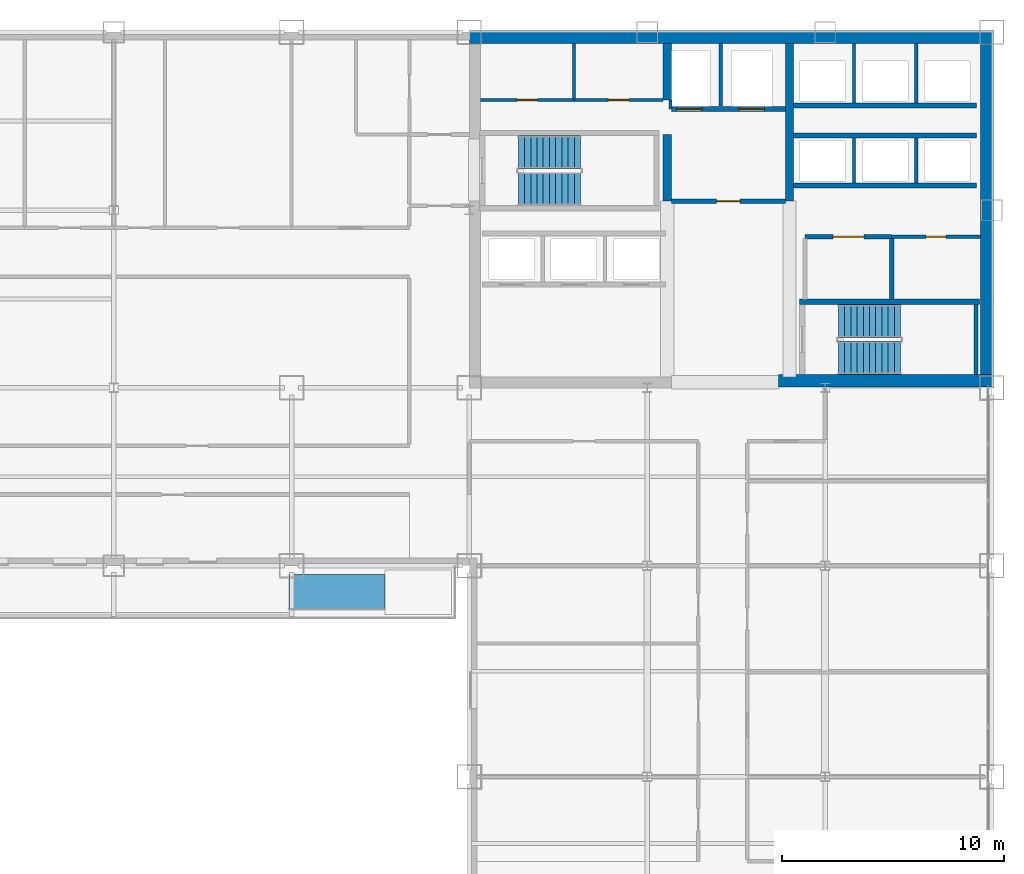
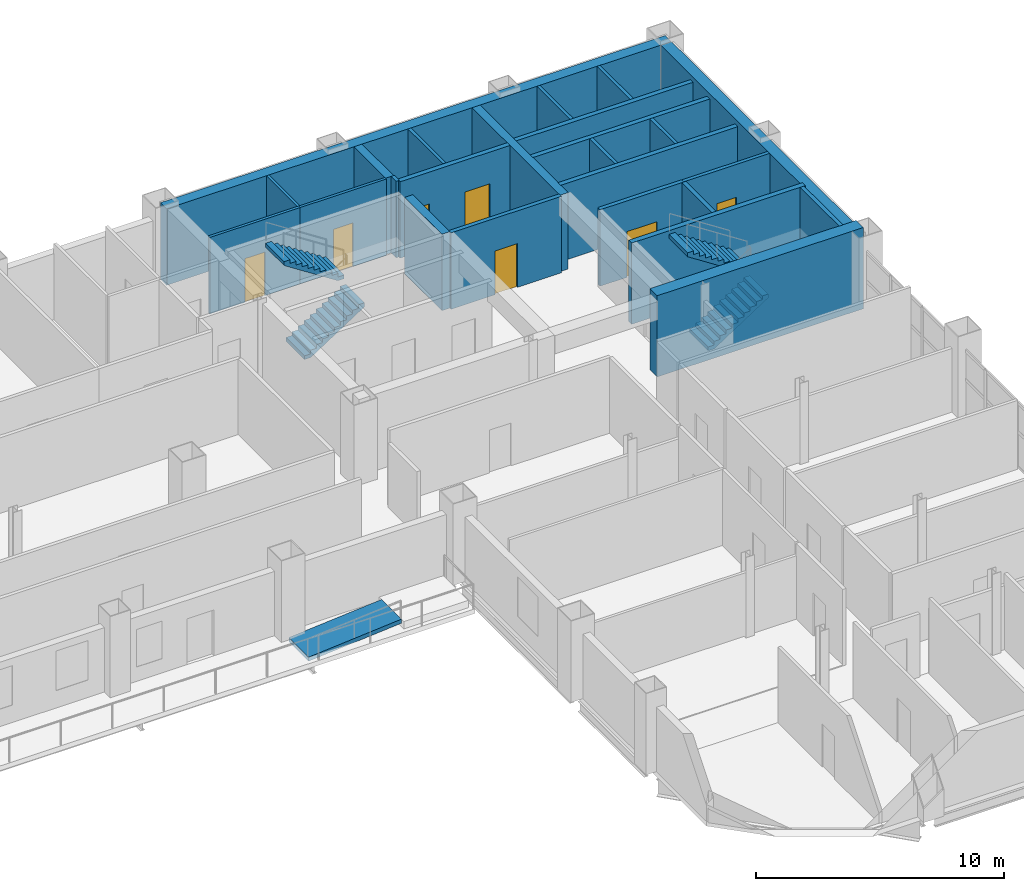
# One storey, part 14 of 16: 25 walls, 7 doors, 4 stair flights, 1 ramp flight, 7 openings, 3 elements without a shape of their own.
"""IFC4 building model written with IfcOpenShell, lengths in metres."""

from ifc_helpers import new_model, si_unit, direction, frame, frame_2d, origin, place, context, subcontext, project, spatial, polyline, rectangle, outline, extrude, material, layer, layer_set, type_object, element, fill, aggregate, save


model = new_model("IFC4")

# Units and contexts
model_context = context("Model", 3, precision=1e-05, world=origin(), true_north=direction((0.0, 1.0)))
body_context = subcontext(model_context, "Body", "Model", "MODEL_VIEW")
ifc_project = project(units=[si_unit("LENGTHUNIT", "METRE"), si_unit("AREAUNIT", "SQUARE_METRE"), si_unit("VOLUMEUNIT", "CUBIC_METRE"), si_unit("PLANEANGLEUNIT", "RADIAN"), si_unit("MASSUNIT", "GRAM", prefix="KILO")], contexts=[model_context])

# Site, building, storey
site_placement = place(None, origin())
site = spatial("IfcSite", under=ifc_project, at=site_placement, CompositionType="ELEMENT")
building_placement = place(site_placement, origin())
building = spatial("IfcBuilding", under=site, at=building_placement, Name="Qianrong Seaharbour Tower", CompositionType="ELEMENT")
storey_placement = place(building_placement, frame((0.0, 0.0, 119.0)))
storey = spatial("IfcBuildingStorey", under=building, at=storey_placement, Name="L28", CompositionType="ELEMENT", Elevation=119.0)

# Walls
ifc_material_1 = material(Name="Concrete C60/75", Category="concrete")
ifc_layer_1 = layer(ifc_material_1, 0.5)
ifc_layer_set_1 = layer_set([ifc_layer_1], Name="Concrete C60/75")
wall_type_1 = type_object("IfcWallType", Name="WALL-CORE-500", PredefinedType="SHEAR", material=ifc_layer_set_1)
wall_1_placement = place(storey_placement, frame((40.5, 51.75, 0.0), z_axis=(0.0, 0.0, 1.0), x_axis=(1.0, 0.0, 0.0)))
element("IfcWall", 1, at=wall_1_placement, inside=storey, type_object=wall_type_1, Name="L28 North Core Shear Wall", PredefinedType="SHEAR", context=body_context, shape_type="SweptSolid", body=[
    extrude(rectangle(XDim=23.5, YDim=0.5, at=frame_2d((11.75, 0.0))), origin(), (0.0, 0.0, 1.0), 3.764892578125),
])
wall_2_placement = place(storey_placement, frame((63.75, 36.320068359375, 0.0), z_axis=(0.0, 0.0, 1.0), x_axis=(0.0, 1.0, 0.0)))
element("IfcWall", 2, at=wall_2_placement, inside=storey, type_object=wall_type_1, Name="L28 East Core Shear Wall", PredefinedType="SHEAR", context=body_context, shape_type="SweptSolid", body=[
    extrude(rectangle(XDim=15.179931640625, YDim=0.5, at=frame_2d((7.58984375, 0.0))), origin(), (0.0, 0.0, 1.0), 3.764892578125),
])
ifc_material_2 = material(Name="Concrete C70/85", Category="concrete")
ifc_layer_2 = layer(ifc_material_2, 0.580078125)
ifc_layer_set_2 = layer_set([ifc_layer_2], Name="Concrete C70/85")
wall_type_2 = type_object("IfcWallType", Name="WALL-CORE-580", PredefinedType="SHEAR", material=ifc_layer_set_2)
wall_3_placement = place(storey_placement, frame((54.39990234375, 36.320068359375, 0.0), z_axis=(0.0, 0.0, 1.0), x_axis=(1.0, 0.0, 0.0)))
element("IfcWall", 3, at=wall_3_placement, inside=storey, type_object=wall_type_2, Name="L28 South Core Shear Wall S3", PredefinedType="SHEAR", context=body_context, shape_type="SweptSolid", body=[
    extrude(rectangle(XDim=9.60009765625, YDim=0.580078125, at=frame_2d((4.800048828125, 0.0))), origin(), (0.0, 0.0, 1.0), 4.0),
])
ifc_layer_3 = layer(ifc_material_1, 0.3798828125)
ifc_layer_set_3 = layer_set([ifc_layer_3], Name="Concrete C60/75")
wall_type_3 = type_object("IfcWallType", Name="WALL-CORE-INT-380", PredefinedType="SHEAR", material=ifc_layer_set_3)
wall_4_placement = place(storey_placement, frame((49.39990234375, 44.39990234375, 0.0), z_axis=(0.0, 0.0, 1.0), x_axis=(0.0, 1.0, 0.0)))
element("IfcWall", 4, at=wall_4_placement, inside=storey, type_object=wall_type_3, Name="L28 Internal Core Shear Wall IW1N1", PredefinedType="SHEAR", context=body_context, shape_type="SweptSolid", body=[
    extrude(rectangle(XDim=3.0, YDim=0.3798828125, at=frame_2d((1.5, 0.0))), origin(), (0.0, 0.0, 1.0), 3.764892578125),
])
wall_5_placement = place(storey_placement, frame((49.39990234375, 48.949951171875, 0.0), z_axis=(0.0, 0.0, 1.0), x_axis=(0.0, 1.0, 0.0)))
element("IfcWall", 5, at=wall_5_placement, inside=storey, type_object=wall_type_3, Name="L28 Internal Core Shear Wall IW1N2", PredefinedType="SHEAR", context=body_context, shape_type="SweptSolid", body=[
    extrude(rectangle(XDim=2.550048828125, YDim=0.3798828125, at=frame_2d((1.27490234375, 0.0))), origin(), (0.0, 0.0, 1.0), 3.764892578125),
])
wall_6_placement = place(storey_placement, frame((54.89990234375, 44.39990234375, 0.0), z_axis=(0.0, 0.0, 1.0), x_axis=(0.0, 1.0, 0.0)))
element("IfcWall", 6, at=wall_6_placement, inside=storey, type_object=wall_type_3, Name="L28 Internal Core Shear Wall IW2N", PredefinedType="SHEAR", context=body_context, shape_type="SweptSolid", body=[
    extrude(rectangle(XDim=7.10009765625, YDim=0.3798828125, at=frame_2d((3.550048828125, 0.0))), origin(), (0.0, 0.0, 1.0), 3.764892578125),
])

# Wall, opening, door
ifc_material_3 = material(Name="Fire-rated acoustic gypsum board partition")
ifc_layer_4 = layer(ifc_material_3, 0.1650390625)
ifc_layer_set_4 = layer_set([ifc_layer_4], Name="Fire-rated acoustic gypsum board partition")
wall_type_4 = type_object("IfcWallType", Name="WALL-CORR-PART-165", PredefinedType="PARTITIONING", material=ifc_layer_set_4)
wall_7_placement = place(storey_placement, frame((63.5, 42.800048828125, 0.0), z_axis=(0.0, 0.0, 1.0), x_axis=(-1.0, 0.0, 0.0)))
wall_7 = element("IfcWall", 7, at=wall_7_placement, inside=storey, type_object=wall_type_4, Name="L28 Interior Partition Wall 012", PredefinedType="PARTITIONING", context=body_context, shape_type="SweptSolid", body=[
    extrude(rectangle(XDim=4.0, YDim=0.1650390625, at=frame_2d((2.0, 0.0))), origin(), (0.0, 0.0, 1.0), 3.764892578125),
])
opening_1_placement = place(wall_7_placement, frame((1.550048828125, 0.0, 0.0)))
opening_1 = element("IfcOpeningElement", 8, at=opening_1_placement, cuts=wall_7, Name="Opening DS-01", PredefinedType="OPENING", context=body_context, shape_type="SweptSolid", body=[
    extrude(rectangle(XDim=0.89990234375, YDim=2.14990234375, at=frame_2d((0.449951171875, 1.074951171875))), frame((0.0, 0.092529296875, 0.0), z_axis=(0.0, -1.0, 0.0), x_axis=(1.0, 0.0, 0.0)), (0.0, 0.0, 1.0), 0.18505859375),
])
ifc_material_4 = material(Name="Acoustic timber and galvanized steel fire door assembly", Category="steel")
door_type_1 = type_object("IfcDoorType", Name="DOOR-STORE-900x2150", OperationType="NOTDEFINED", PredefinedType="DOOR", material=ifc_material_4)
door_1_placement = place(opening_1_placement, origin())
door_1 = element("IfcDoor", 9, at=door_1_placement, inside=storey, type_object=door_type_1, Name="L28 Cleaner Store Room Door", OperationType="SINGLE_SWING_RIGHT", OverallHeight=2.14990234375, OverallWidth=0.89990234375, PredefinedType="DOOR", context=body_context, shape_type="SweptSolid", body=[
    extrude(rectangle(XDim=0.89990234375, YDim=2.14990234375, at=frame_2d((0.449951171875, 1.074951171875))), frame((0.0, 0.02490234375, 0.0), z_axis=(0.0, -1.0, 0.0), x_axis=(1.0, 0.0, 0.0)), (0.0, 0.0, 1.0), 0.050048828125),
])
fill(opening_1, door_1)

ifc_material_5 = material(Name="Double fire-rated gypsum board acoustic partition")
ifc_layer_5 = layer(ifc_material_5, 0.18994140625)
ifc_layer_set_5 = layer_set([ifc_layer_5], Name="Double fire-rated gypsum board acoustic partition")
wall_type_5 = type_object("IfcWallType", Name="WALL-FIRE-PART-190", PredefinedType="PARTITIONING", material=ifc_layer_set_5)
wall_8_placement = place(storey_placement, frame((54.718017578125, 44.39990234375, 0.0), z_axis=(0.0, 0.0, 1.0), x_axis=(-1.0, 0.0, 0.0)))
wall_8 = element("IfcWall", 10, at=wall_8_placement, inside=storey, type_object=wall_type_5, Name="L28 Interior Partition Wall 009", PredefinedType="PARTITIONING", context=body_context, shape_type="SweptSolid", body=[
    extrude(rectangle(XDim=5.135986328125, YDim=0.18994140625, at=frame_2d((2.56787109375, 0.0))), origin(), (0.0, 0.0, 1.0), 3.764892578125),
])
opening_2_placement = place(wall_8_placement, frame((2.04296875, 0.0, 0.0)))
opening_2 = element("IfcOpeningElement", 11, at=opening_2_placement, cuts=wall_8, Name="Opening DC-01", PredefinedType="OPENING", context=body_context, shape_type="SweptSolid", body=[
    extrude(rectangle(XDim=1.050048828125, YDim=2.14990234375, at=frame_2d((0.52490234375, 1.074951171875))), frame((0.0, 0.10498046875, 0.0), z_axis=(0.0, -1.0, 0.0), x_axis=(1.0, 0.0, 0.0)), (0.0, 0.0, 1.0), 0.2099609375),
])
door_type_2 = type_object("IfcDoorType", Name="DOOR-CORR-FD60-1050x2150", OperationType="NOTDEFINED", PredefinedType="DOOR", material=ifc_material_4)
door_2_placement = place(opening_2_placement, origin())
door_2 = element("IfcDoor", 12, at=door_2_placement, inside=storey, type_object=door_type_2, Name="L28 Firefighting Lift Lobby Door", OperationType="SINGLE_SWING_LEFT", OverallHeight=2.14990234375, OverallWidth=1.050048828125, PredefinedType="DOOR", context=body_context, shape_type="SweptSolid", body=[
    extrude(rectangle(XDim=1.050048828125, YDim=2.14990234375, at=frame_2d((0.52490234375, 1.074951171875))), frame((0.0, 0.02490234375, 0.0), z_axis=(0.0, -1.0, 0.0), x_axis=(1.0, 0.0, 0.0)), (0.0, 0.0, 1.0), 0.050048828125),
])
fill(opening_2, door_2)

wall_9_placement = place(storey_placement, frame((59.5, 42.800048828125, 0.0), z_axis=(0.0, 0.0, 1.0), x_axis=(-1.0, 0.0, 0.0)))
wall_9 = element("IfcWall", 13, at=wall_9_placement, inside=storey, type_object=wall_type_5, Name="L28 Interior Partition Wall 011", PredefinedType="PARTITIONING", context=body_context, shape_type="SweptSolid", body=[
    extrude(rectangle(XDim=3.89990234375, YDim=0.18994140625, at=frame_2d((1.949951171875, 0.0))), origin(), (0.0, 0.0, 1.0), 3.764892578125),
])
opening_3_placement = place(wall_9_placement, frame((1.25, 0.0, 0.0)))
opening_3 = element("IfcOpeningElement", 14, at=opening_3_placement, cuts=wall_9, Name="Opening DP-01", PredefinedType="OPENING", context=body_context, shape_type="SweptSolid", body=[
    extrude(rectangle(XDim=1.39990234375, YDim=2.25, at=frame_2d((0.699951171875, 1.125))), frame((0.0, 0.10498046875, 0.0), z_axis=(0.0, -1.0, 0.0), x_axis=(1.0, 0.0, 0.0)), (0.0, 0.0, 1.0), 0.2099609375),
])
door_type_3 = type_object("IfcDoorType", Name="DOOR-PLANT-PAIR-1400x2250", OperationType="DOUBLE_DOOR_SINGLE_SWING", PredefinedType="DOOR", material=ifc_material_4)
door_3_placement = place(opening_3_placement, origin())
door_3 = element("IfcDoor", 15, at=door_3_placement, inside=storey, type_object=door_type_3, Name="L28 Electrical Substation Door", OperationType="DOUBLE_DOOR_SINGLE_SWING", OverallHeight=2.25, OverallWidth=1.39990234375, PredefinedType="DOOR", context=body_context, shape_type="SweptSolid", body=[
    extrude(rectangle(XDim=1.39990234375, YDim=2.25, at=frame_2d((0.699951171875, 1.125))), frame((0.0, 0.02490234375, 0.0), z_axis=(0.0, -1.0, 0.0), x_axis=(1.0, 0.0, 0.0)), (0.0, 0.0, 1.0), 0.050048828125),
])
fill(opening_3, door_3)

# Walls
wall_10_placement = place(storey_placement, frame((59.5, 42.712890625, 0.0), z_axis=(0.0, 0.0, 1.0), x_axis=(0.0, -1.0, 0.0)))
element("IfcWall", 16, at=wall_10_placement, inside=storey, type_object=wall_type_5, Name="L28 Interior Partition Wall 014", PredefinedType="PARTITIONING", context=body_context, shape_type="SweptSolid", body=[
    extrude(rectangle(XDim=2.73095703125, YDim=0.18994140625, at=frame_2d((1.365478515625, 0.0))), origin(), (0.0, 0.0, 1.0), 3.764892578125),
])
ifc_material_6 = material(Name="Fire-rated gypsum board on steel studs", Category="steel")
ifc_layer_6 = layer(ifc_material_6, 0.14990234375)
ifc_layer_set_6 = layer_set([ifc_layer_6], Name="Fire-rated gypsum board on steel studs")
wall_type_6 = type_object("IfcWallType", Name="WALL-SHAFT-DIV-150", PredefinedType="PARTITIONING", material=ifc_layer_set_6)
wall_11_placement = place(storey_placement, frame((51.800048828125, 48.669921875, 0.0), z_axis=(0.0, 0.0, 1.0), x_axis=(0.0, 1.0, 0.0)))
element("IfcWall", 17, at=wall_11_placement, inside=storey, type_object=wall_type_6, Name="L28 Firefighting Lift Shaft Divider Wall", PredefinedType="PARTITIONING", context=body_context, shape_type="SweptSolid", body=[
    extrude(rectangle(XDim=2.830078125, YDim=0.14990234375, at=frame_2d((1.4150390625, 0.0))), origin(), (0.0, 0.0, 1.0), 3.764892578125),
])
wall_12_placement = place(storey_placement, frame((49.550048828125, 48.550048828125, 0.0), z_axis=(0.0, 0.0, 1.0), x_axis=(0.0, 1.0, 0.0)))
element("IfcWall", 18, at=wall_12_placement, inside=storey, type_object=wall_type_6, Name="L28 Firefighting Lift Shaft West Return Wall", PredefinedType="PARTITIONING", context=body_context, shape_type="SweptSolid", body=[
    extrude(rectangle(XDim=0.39990234375, YDim=0.14990234375, at=frame_2d((0.199951171875, 0.0))), origin(), (0.0, 0.0, 1.0), 3.764892578125),
])
for number, where, z_axis, x_axis, name in (
    (19, (57.800048828125, 45.2099609375, 0.0), (0.0, 0.0, 1.0), (0.0, 1.0, 0.0), "L28 P3 Lift Hoistway Divider 2"),
    (20, (60.60009765625, 45.2099609375, 0.0), (0.0, 0.0, 1.0), (0.0, 1.0, 0.0), "L28 P3 Lift Hoistway Divider 3"),
):
    element("IfcWall", number, at=place(storey_placement, frame(where, z_axis=z_axis, x_axis=x_axis)), inside=storey, type_object=wall_type_6, Name=name, PredefinedType="PARTITIONING", context=body_context, shape_type="SweptSolid", body=[
        extrude(rectangle(XDim=2.030029296875, YDim=0.14990234375, at=frame_2d((1.01513671875, 0.0))), origin(), (0.0, 0.0, 1.0), 3.764892578125),
    ])
for number, where, z_axis, x_axis, name in (
    (21, (57.800048828125, 48.81005859375, 0.0), (0.0, 0.0, 1.0), (0.0, 1.0, 0.0), "L28 P4 Lift Hoistway Divider 2"),
    (22, (60.60009765625, 48.81005859375, 0.0), (0.0, 0.0, 1.0), (0.0, 1.0, 0.0), "L28 P4 Lift Hoistway Divider 3"),
):
    element("IfcWall", number, at=place(storey_placement, frame(where, z_axis=z_axis, x_axis=x_axis)), inside=storey, type_object=wall_type_6, Name=name, PredefinedType="PARTITIONING", context=body_context, shape_type="SweptSolid", body=[
        extrude(rectangle(XDim=2.68994140625, YDim=0.14990234375, at=frame_2d((1.344970703125, 0.0))), origin(), (0.0, 0.0, 1.0), 3.764892578125),
    ])

# Wall, openings, doors
ifc_layer_7 = layer(ifc_material_6, 0.219970703125)
ifc_layer_set_7 = layer_set([ifc_layer_7], Name="Fire-rated gypsum board on steel studs")
wall_type_7 = type_object("IfcWallType", Name="WALL-SHAFT-GYP220", PredefinedType="PARTITIONING", material=ifc_layer_set_7)
wall_13_placement = place(storey_placement, frame((54.7099609375, 48.550048828125, 0.0), z_axis=(0.0, 0.0, 1.0), x_axis=(-1.0, 0.0, 0.0)))
wall_13 = element("IfcWall", 23, at=wall_13_placement, inside=storey, type_object=wall_type_7, Name="L28 Firefighting Lift Shaft Front Wall", PredefinedType="PARTITIONING", context=body_context, shape_type="SweptSolid", body=[
    extrude(rectangle(XDim=5.119873046875, YDim=0.219970703125, at=frame_2d((2.56005859375, 0.0))), origin(), (0.0, 0.0, 1.0), 3.764892578125),
])
opening_4_placement = place(wall_13_placement, frame((3.735107421875, 0.0, 0.0)))
opening_4 = element("IfcOpeningElement", 24, at=opening_4_placement, cuts=wall_13, Name="Opening LD-01", PredefinedType="OPENING", context=body_context, shape_type="SweptSolid", body=[
    extrude(rectangle(XDim=1.14990234375, YDim=2.199951171875, at=frame_2d((0.574951171875, 1.10009765625))), frame((0.0, 0.1201171875, 0.0), z_axis=(0.0, -1.0, 0.0), x_axis=(1.0, 0.0, 0.0)), (0.0, 0.0, 1.0), 0.239990234375),
])
opening_5_placement = place(wall_13_placement, frame((0.93505859375, 0.0, 0.0)))
opening_5 = element("IfcOpeningElement", 25, at=opening_5_placement, cuts=wall_13, Name="Opening LD-01", PredefinedType="OPENING", context=body_context, shape_type="SweptSolid", body=[
    extrude(rectangle(XDim=1.14990234375, YDim=2.199951171875, at=frame_2d((0.574951171875, 1.10009765625))), frame((0.0, 0.1201171875, 0.0), z_axis=(0.0, -1.0, 0.0), x_axis=(1.0, 0.0, 0.0)), (0.0, 0.0, 1.0), 0.239990234375),
])
ifc_material_7 = material(Name="Stainless steel SUS316L bi-parting lift landing door", Category="steel")
door_type_4 = type_object("IfcDoorType", Name="DOOR-LIFT-FF-1150x2200", OperationType="DOUBLE_DOOR_SLIDING", PredefinedType="DOOR", material=ifc_material_7)
door_4_placement = place(opening_4_placement, origin())
door_4 = element("IfcDoor", 26, at=door_4_placement, inside=storey, type_object=door_type_4, Name="L28 FL-1 Firefighting Lift Landing Door", OperationType="DOUBLE_DOOR_SLIDING", OverallHeight=2.199951171875, OverallWidth=1.14990234375, PredefinedType="DOOR", context=body_context, shape_type="SweptSolid", body=[
    extrude(rectangle(XDim=1.14990234375, YDim=2.199951171875, at=frame_2d((0.574951171875, 1.10009765625))), frame((0.0, 0.02490234375, 0.0), z_axis=(0.0, -1.0, 0.0), x_axis=(1.0, 0.0, 0.0)), (0.0, 0.0, 1.0), 0.050048828125),
])
fill(opening_4, door_4)
door_5_placement = place(opening_5_placement, origin())
door_5 = element("IfcDoor", 27, at=door_5_placement, inside=storey, type_object=door_type_4, Name="L28 FL-2 Firefighting Lift Landing Door", OperationType="DOUBLE_DOOR_SLIDING", OverallHeight=2.199951171875, OverallWidth=1.14990234375, PredefinedType="DOOR", context=body_context, shape_type="SweptSolid", body=[
    extrude(rectangle(XDim=1.14990234375, YDim=2.199951171875, at=frame_2d((0.574951171875, 1.10009765625))), frame((0.0, 0.02490234375, 0.0), z_axis=(0.0, -1.0, 0.0), x_axis=(1.0, 0.0, 0.0)), (0.0, 0.0, 1.0), 0.050048828125),
])
fill(opening_5, door_5)

# Walls
for number, where, z_axis, x_axis, name in (
    (28, (63.320068359375, 45.10009765625, 0.0), (0.0, 0.0, 1.0), (-1.0, 0.0, 0.0), "L28 P3 Lift Hoistway Front Wall"),
    (29, (55.080078125, 47.35009765625, 0.0), (0.0, 0.0, 1.0), (1.0, 0.0, 0.0), "L28 P3 Lift Hoistway Back Wall"),
    (30, (63.320068359375, 48.699951171875, 0.0), (0.0, 0.0, 1.0), (-1.0, 0.0, 0.0), "L28 P4 Lift Hoistway Front Wall"),
):
    element("IfcWall", number, at=place(storey_placement, frame(where, z_axis=z_axis, x_axis=x_axis)), inside=storey, type_object=wall_type_7, Name=name, PredefinedType="PARTITIONING", context=body_context, shape_type="SweptSolid", body=[
        extrude(rectangle(XDim=8.239990234375, YDim=0.219970703125, at=frame_2d((4.1201171875, 0.0))), origin(), (0.0, 0.0, 1.0), 3.764892578125),
    ])
ifc_material_8 = material(Name="Concrete C50/60", Category="concrete")
ifc_layer_8 = layer(ifc_material_8, 0.239990234375)
ifc_layer_set_8 = layer_set([ifc_layer_8], Name="Concrete C50/60")
wall_type_8 = type_object("IfcWallType", Name="WALL-SHAFT-RC240", PredefinedType="SOLIDWALL", material=ifc_layer_set_8)
wall_14_placement = place(storey_placement, frame((55.360107421875, 39.8701171875, 0.0), z_axis=(0.0, 0.0, 1.0), x_axis=(1.0, 0.0, 0.0)))
element("IfcWall", 31, at=wall_14_placement, inside=storey, type_object=wall_type_8, Name="L28 ST-2 Structural Stair Core Wall N", PredefinedType="SOLIDWALL", context=body_context, shape_type="SweptSolid", body=[
    extrude(rectangle(XDim=8.079833984375, YDim=0.239990234375, at=frame_2d((4.0400390625, 0.0))), origin(), (0.0, 0.0, 1.0), 4.0),
])
wall_15_placement = place(storey_placement, frame((63.2900390625, 36.60009765625, 0.0), z_axis=(0.0, 0.0, 1.0), x_axis=(0.0, 1.0, 0.0)))
element("IfcWall", 32, at=wall_15_placement, inside=storey, type_object=wall_type_8, Name="L28 ST-2 Structural Stair Core Wall E", PredefinedType="SOLIDWALL", context=body_context, shape_type="SweptSolid", body=[
    extrude(rectangle(XDim=3.14990234375, YDim=0.179931640625, at=frame_2d((1.574951171875, 0.0))), origin(), (0.0, 0.0, 1.0), 4.0),
])

# Wall, opening, door
ifc_material_9 = material(Name="Water-resistant cement board sanitary partition")
ifc_layer_9 = layer(ifc_material_9, 0.1298828125)
ifc_layer_set_9 = layer_set([ifc_layer_9], Name="Water-resistant cement board sanitary partition")
wall_type_9 = type_object("IfcWallType", Name="WALL-WET-PART-130", PredefinedType="PARTITIONING", material=ifc_layer_set_9)
wall_16_placement = place(storey_placement, frame((41.0, 48.949951171875, 0.0), z_axis=(0.0, 0.0, 1.0), x_axis=(1.0, 0.0, 0.0)))
wall_16 = element("IfcWall", 33, at=wall_16_placement, inside=storey, type_object=wall_type_9, Name="L28 Interior Partition Wall 007", PredefinedType="PARTITIONING", context=body_context, shape_type="SweptSolid", body=[
    extrude(rectangle(XDim=4.199951171875, YDim=0.1298828125, at=frame_2d((2.10009765625, 0.0))), origin(), (0.0, 0.0, 1.0), 3.764892578125),
])
opening_6_placement = place(wall_16_placement, frame((1.639892578125, 0.0, 0.0)))
opening_6 = element("IfcOpeningElement", 34, at=opening_6_placement, cuts=wall_16, Name="Opening DW-01", PredefinedType="OPENING", context=body_context, shape_type="SweptSolid", body=[
    extrude(rectangle(XDim=0.919921875, YDim=2.14990234375, at=frame_2d((0.4599609375, 1.074951171875))), frame((0.0, 0.074951171875, 0.0), z_axis=(0.0, -1.0, 0.0), x_axis=(1.0, 0.0, 0.0)), (0.0, 0.0, 1.0), 0.14990234375),
])
door_type_5 = type_object("IfcDoorType", Name="DOOR-WC-920x2150", OperationType="NOTDEFINED", PredefinedType="DOOR", material=ifc_material_4)
door_6_placement = place(opening_6_placement, origin())
door_6 = element("IfcDoor", 35, at=door_6_placement, inside=storey, type_object=door_type_5, Name="L28 Male Restroom WC Door", OperationType="SINGLE_SWING_RIGHT", OverallHeight=2.14990234375, OverallWidth=0.919921875, PredefinedType="DOOR", context=body_context, shape_type="SweptSolid", body=[
    extrude(rectangle(XDim=0.919921875, YDim=2.14990234375, at=frame_2d((0.4599609375, 1.074951171875))), frame((0.0, 0.02490234375, 0.0), z_axis=(0.0, -1.0, 0.0), x_axis=(1.0, 0.0, 0.0)), (0.0, 0.0, 1.0), 0.050048828125),
])
fill(opening_6, door_6)

wall_17_placement = place(storey_placement, frame((45.199951171875, 48.949951171875, 0.0), z_axis=(0.0, 0.0, 1.0), x_axis=(1.0, 0.0, 0.0)))
wall_17 = element("IfcWall", 36, at=wall_17_placement, inside=storey, type_object=wall_type_9, Name="L28 Interior Partition Wall 008", PredefinedType="PARTITIONING", context=body_context, shape_type="SweptSolid", body=[
    extrude(rectangle(XDim=4.01806640625, YDim=0.1298828125, at=frame_2d((2.009033203125, 0.0))), origin(), (0.0, 0.0, 1.0), 3.764892578125),
])
opening_7_placement = place(wall_17_placement, frame((1.549072265625, 0.0, 0.0)))
opening_7 = element("IfcOpeningElement", 37, at=opening_7_placement, cuts=wall_17, Name="Opening DW-01", PredefinedType="OPENING", context=body_context, shape_type="SweptSolid", body=[
    extrude(rectangle(XDim=0.919921875, YDim=2.14990234375, at=frame_2d((0.4599609375, 1.074951171875))), frame((0.0, 0.074951171875, 0.0), z_axis=(0.0, -1.0, 0.0), x_axis=(1.0, 0.0, 0.0)), (0.0, 0.0, 1.0), 0.14990234375),
])
door_7_placement = place(opening_7_placement, origin())
door_7 = element("IfcDoor", 38, at=door_7_placement, inside=storey, type_object=door_type_5, Name="L28 Female Restroom WC Door", OperationType="SINGLE_SWING_LEFT", OverallHeight=2.14990234375, OverallWidth=0.919921875, PredefinedType="DOOR", context=body_context, shape_type="SweptSolid", body=[
    extrude(rectangle(XDim=0.919921875, YDim=2.14990234375, at=frame_2d((0.4599609375, 1.074951171875))), frame((0.0, 0.02490234375, 0.0), z_axis=(0.0, -1.0, 0.0), x_axis=(1.0, 0.0, 0.0)), (0.0, 0.0, 1.0), 0.050048828125),
])
fill(opening_7, door_7)

# Wall
wall_18_placement = place(storey_placement, frame((45.199951171875, 51.5, 0.0), z_axis=(0.0, 0.0, 1.0), x_axis=(0.0, -1.0, 0.0)))
element("IfcWall", 39, at=wall_18_placement, inside=storey, type_object=wall_type_9, Name="L28 Interior Partition Wall 013", PredefinedType="PARTITIONING", context=body_context, shape_type="SweptSolid", body=[
    extrude(rectangle(XDim=2.492919921875, YDim=0.1298828125, at=frame_2d((1.24658203125, 0.0))), origin(), (0.0, 0.0, 1.0), 3.764892578125),
])

# Stair, stair flights
stair_type = type_object("IfcStairType", Name="STAIR-DOGLEG-1500-R22", PredefinedType="HALF_TURN_STAIR", material=ifc_material_8)
stair_1_placement = place(storey_placement, origin())
stair_1 = element("IfcStair", 40, at=stair_1_placement, inside=storey, type_object=stair_type, Name="L28 Protected Escape Stair ST-1", PredefinedType="HALF_TURN_STAIR")
stair_flight_type = type_object("IfcStairFlightType", Name="FLIGHT-STR-1500-R22", PredefinedType="STRAIGHT", material=ifc_material_8)
stair_flight_1_placement = place(storey_placement, frame((42.699951171875, 44.949951171875, 0.0), z_axis=(0.0, 0.0, 1.0), x_axis=(1.0, 0.0, 0.0)))
stair_flight_1 = element("IfcStairFlight", 41, at=stair_flight_1_placement, type_object=stair_flight_type, Name="ST-1 flight 1", NumberOfRisers=11, NumberOfTreads=10, PredefinedType="STRAIGHT", RiserHeight=0.181818182, TreadLength=0.28, context=body_context, shape_type="SweptSolid", body=[
    extrude(outline(polyline([(0.0, 0.0), (0.0, 0.181884765625), (0.280029296875, 0.181884765625), (0.280029296875, 0.363525390625), (0.56005859375, 0.363525390625), (0.56005859375, 0.54541015625), (0.840087890625, 0.54541015625), (0.840087890625, 0.727294921875), (1.1201171875, 0.727294921875), (1.1201171875, 0.9091796875), (1.39990234375, 0.9091796875), (1.39990234375, 1.0908203125), (1.679931640625, 1.0908203125), (1.679931640625, 1.272705078125), (1.9599609375, 1.272705078125), (1.9599609375, 1.45458984375), (2.239990234375, 1.45458984375), (2.239990234375, 1.636474609375), (2.52001953125, 1.636474609375), (2.52001953125, 1.818115234375), (2.800048828125, 1.818115234375), (2.800048828125, 2.0), (2.800048828125, 1.62744140625), (0.293701171875, 0.0), (0.0, 0.0)])), frame((0.0, 0.75, 0.0), z_axis=(0.0, -1.0, 0.0), x_axis=(1.0, 0.0, 0.0)), (0.0, 0.0, 1.0), 1.5),
])
stair_flight_2_placement = place(storey_placement, frame((45.5, 46.60009765625, 2.0), z_axis=(0.0, 0.0, 1.0), x_axis=(-1.0, 0.0, 0.0)))
stair_flight_2 = element("IfcStairFlight", 42, at=stair_flight_2_placement, type_object=stair_flight_type, Name="ST-1 flight 2", NumberOfRisers=11, NumberOfTreads=10, PredefinedType="STRAIGHT", RiserHeight=0.181818182, TreadLength=0.28, context=body_context, shape_type="SweptSolid", body=[
    extrude(outline(polyline([(0.0, 0.0), (0.0, 0.181884765625), (0.280029296875, 0.181884765625), (0.280029296875, 0.363525390625), (0.56005859375, 0.363525390625), (0.56005859375, 0.54541015625), (0.840087890625, 0.54541015625), (0.840087890625, 0.727294921875), (1.1201171875, 0.727294921875), (1.1201171875, 0.9091796875), (1.39990234375, 0.9091796875), (1.39990234375, 1.0908203125), (1.679931640625, 1.0908203125), (1.679931640625, 1.272705078125), (1.9599609375, 1.272705078125), (1.9599609375, 1.45458984375), (2.239990234375, 1.45458984375), (2.239990234375, 1.636474609375), (2.52001953125, 1.636474609375), (2.52001953125, 1.818115234375), (2.800048828125, 1.818115234375), (2.800048828125, 2.0), (2.800048828125, 1.62744140625), (0.293701171875, 0.0), (0.0, 0.0)])), frame((0.0, 0.75, 0.0), z_axis=(0.0, -1.0, 0.0), x_axis=(1.0, 0.0, 0.0)), (0.0, 0.0, 1.0), 1.5),
])
aggregate(stair_1, [stair_flight_1, stair_flight_2])

stair_2_placement = place(storey_placement, origin())
stair_2 = element("IfcStair", 43, at=stair_2_placement, inside=storey, type_object=stair_type, Name="L28 Protected Escape Stair ST-2", PredefinedType="HALF_TURN_STAIR")
stair_flight_3_placement = place(storey_placement, frame((57.10009765625, 37.35009765625, 0.0), z_axis=(0.0, 0.0, 1.0), x_axis=(1.0, 0.0, 0.0)))
stair_flight_3 = element("IfcStairFlight", 44, at=stair_flight_3_placement, type_object=stair_flight_type, Name="ST-2 flight 1", NumberOfRisers=11, NumberOfTreads=10, PredefinedType="STRAIGHT", RiserHeight=0.181818182, TreadLength=0.28, context=body_context, shape_type="SweptSolid", body=[
    extrude(outline(polyline([(0.0, 0.0), (0.0, 0.181884765625), (0.280029296875, 0.181884765625), (0.280029296875, 0.363525390625), (0.56005859375, 0.363525390625), (0.56005859375, 0.54541015625), (0.840087890625, 0.54541015625), (0.840087890625, 0.727294921875), (1.1201171875, 0.727294921875), (1.1201171875, 0.9091796875), (1.39990234375, 0.9091796875), (1.39990234375, 1.0908203125), (1.679931640625, 1.0908203125), (1.679931640625, 1.272705078125), (1.9599609375, 1.272705078125), (1.9599609375, 1.45458984375), (2.239990234375, 1.45458984375), (2.239990234375, 1.636474609375), (2.52001953125, 1.636474609375), (2.52001953125, 1.818115234375), (2.800048828125, 1.818115234375), (2.800048828125, 2.0), (2.800048828125, 1.62744140625), (0.293701171875, 0.0), (0.0, 0.0)])), frame((0.0, 0.75, 0.0), z_axis=(0.0, -1.0, 0.0), x_axis=(1.0, 0.0, 0.0)), (0.0, 0.0, 1.0), 1.5),
])
stair_flight_4_placement = place(storey_placement, frame((59.89990234375, 39.0, 2.0), z_axis=(0.0, 0.0, 1.0), x_axis=(-1.0, 0.0, 0.0)))
stair_flight_4 = element("IfcStairFlight", 45, at=stair_flight_4_placement, type_object=stair_flight_type, Name="ST-2 flight 2", NumberOfRisers=11, NumberOfTreads=10, PredefinedType="STRAIGHT", RiserHeight=0.181818182, TreadLength=0.28, context=body_context, shape_type="SweptSolid", body=[
    extrude(outline(polyline([(0.0, 0.0), (0.0, 0.181884765625), (0.280029296875, 0.181884765625), (0.280029296875, 0.363525390625), (0.56005859375, 0.363525390625), (0.56005859375, 0.54541015625), (0.840087890625, 0.54541015625), (0.840087890625, 0.727294921875), (1.1201171875, 0.727294921875), (1.1201171875, 0.9091796875), (1.39990234375, 0.9091796875), (1.39990234375, 1.0908203125), (1.679931640625, 1.0908203125), (1.679931640625, 1.272705078125), (1.9599609375, 1.272705078125), (1.9599609375, 1.45458984375), (2.239990234375, 1.45458984375), (2.239990234375, 1.636474609375), (2.52001953125, 1.636474609375), (2.52001953125, 1.818115234375), (2.800048828125, 1.818115234375), (2.800048828125, 2.0), (2.800048828125, 1.62744140625), (0.293701171875, 0.0), (0.0, 0.0)])), frame((0.0, 0.75, 0.0), z_axis=(0.0, -1.0, 0.0), x_axis=(1.0, 0.0, 0.0)), (0.0, 0.0, 1.0), 1.5),
])
aggregate(stair_2, [stair_flight_3, stair_flight_4])

# Ramp, ramp flight
ifc_material_10 = material(Name="White architectural precast concrete C45/55", Category="concrete")
ramp_type = type_object("IfcRampType", Name="RAMP-RIBBON-GARDEN", PredefinedType="STRAIGHT_RUN_RAMP", material=ifc_material_10)
ramp_placement = place(storey_placement, origin())
ramp = element("IfcRamp", 46, at=ramp_placement, inside=storey, type_object=ramp_type, Name="L28 Harbourfront Garden Ribbon Ramp", PredefinedType="STRAIGHT_RUN_RAMP")
ifc_layer_10 = layer(ifc_material_10, 0.199951171875)
ifc_layer_set_10 = layer_set([ifc_layer_10], Name="White architectural precast concrete C45/55")
ramp_flight_type = type_object("IfcRampFlightType", Name="RAMP-FLIGHT-GARDEN-200", PredefinedType="STRAIGHT", material=ifc_layer_set_10)
ramp_flight_placement = place(storey_placement, frame((32.3798828125, 26.800048828125, 0.0), z_axis=(0.0, 0.0, 1.0), x_axis=(1.0, 0.0, 0.0)))
ramp_flight = element("IfcRampFlight", 47, at=ramp_flight_placement, type_object=ramp_flight_type, Name="L28 Harbourfront Garden Ribbon Ramp Flight", PredefinedType="STRAIGHT", context=body_context, shape_type="SweptSolid", body=[
    extrude(outline(polyline([(0.0, 0.0), (4.320068359375, 0.360107421875), (4.320068359375, 0.16015625), (0.0, -0.199951171875), (0.0, 0.0)])), frame((0.0, 0.800048828125, 0.0), z_axis=(0.0, -1.0, 0.0), x_axis=(1.0, 0.0, 0.0)), (0.0, 0.0, 1.0), 1.60009765625),
])
aggregate(ramp, [ramp_flight])

save(model, "model.ifc")
